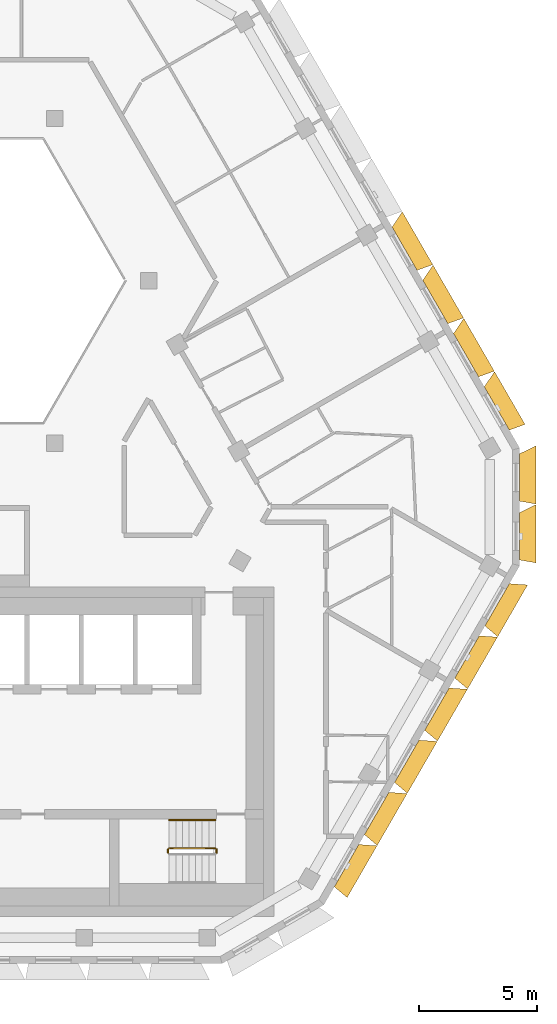
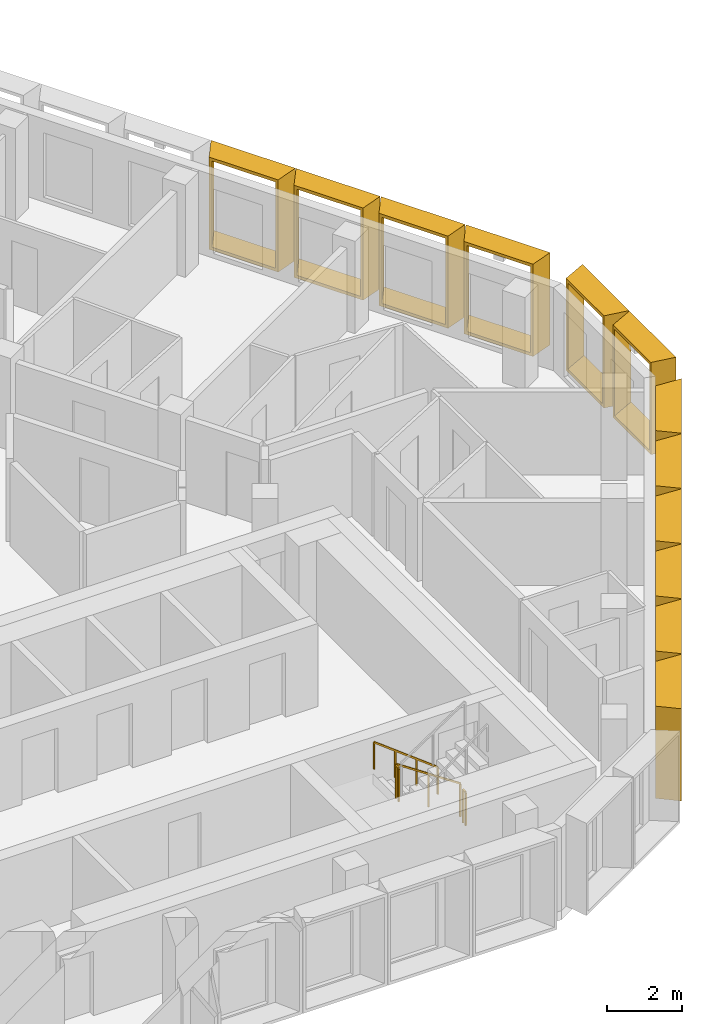
# One storey, part 15 of 16: 12 shading devices, 4 railings.
"""IFC4 building model written with IfcOpenShell, lengths in metres."""

from ifc_helpers import new_model, entity, si_unit, direction, frame, origin, origin_2d, place, context, subcontext, project, spatial, rectangle, extrude, source, transform, mapped, material, type_object, type_shapes, element, save


model = new_model("IFC4")

# Units and contexts
model_context = context("Model", 3, precision=1e-05, world=origin(), true_north=direction((0.0, 1.0)))
body_context = subcontext(model_context, "Body", "Model", "MODEL_VIEW")
ifc_project = project(units=[si_unit("LENGTHUNIT", "METRE"), si_unit("AREAUNIT", "SQUARE_METRE"), si_unit("VOLUMEUNIT", "CUBIC_METRE"), si_unit("PLANEANGLEUNIT", "RADIAN"), si_unit("MASSUNIT", "GRAM", prefix="KILO")], contexts=[model_context])

# Site, building, storey
site_placement = place(None, origin())
site = spatial("IfcSite", under=ifc_project, at=site_placement, CompositionType="ELEMENT")
building_placement = place(site_placement, origin())
building = spatial("IfcBuilding", under=site, at=building_placement, Name="Beryl Residences", CompositionType="ELEMENT")
storey_placement = place(building_placement, frame((0.0, 0.0, 238.800048828125)))
storey = spatial("IfcBuildingStorey", under=building, at=storey_placement, Name="L74", CompositionType="ELEMENT", Elevation=238.800048828125)

# Shading devices
ifc_material_1 = material(Name="Aluminium pale anodised", Category="aluminium")
shading_device_type_1 = type_object("IfcShadingDeviceType", Name="FR250-70C OUTER SKIN frame 700 mm deep, splay 10/26 deg, 2500 x 3000 mm cell", PredefinedType="USERDEFINED", material=ifc_material_1)
cartesian_point_1 = entity("IfcCartesianPoint", [-1.007568359375, 0.0])
cartesian_point_2 = entity("IfcCartesianPoint", [-0.92626953125, 0.10009765625])
cartesian_point_3 = entity("IfcCartesianPoint", [-1.130859375, 0.0])
cartesian_point_4 = entity("IfcCartesianPoint", [-1.0498046875, 0.10009765625])
shared_shape_1 = source(origin(), body_context, "Body", "SweptSolid", [
    entity("IfcExtrudedAreaSolidTapered", entity("IfcArbitraryProfileDefWithVoids", "AREA", None, entity("IfcPolyline", [cartesian_point_1, entity("IfcCartesianPoint", [1.007568359375, 0.0]), entity("IfcCartesianPoint", [1.007568359375, 3.0]), entity("IfcCartesianPoint", [-1.007568359375, 3.0]), cartesian_point_1]), [entity("IfcPolyline", [cartesian_point_2, entity("IfcCartesianPoint", [0.91845703125, 0.10009765625]), entity("IfcCartesianPoint", [0.91845703125, 2.89990234375]), entity("IfcCartesianPoint", [-0.92626953125, 2.89990234375]), cartesian_point_2])]), entity("IfcAxis2Placement3D", entity("IfcCartesianPoint", [0.0, 0.0, 0.0]), entity("IfcDirection", [0.0, 1.0, 0.0]), entity("IfcDirection", [-1.0, 0.0, 0.0])), entity("IfcDirection", [0.0, 0.0, 1.0]), 0.699951171875, entity("IfcArbitraryProfileDefWithVoids", "AREA", None, entity("IfcPolyline", [cartesian_point_3, entity("IfcCartesianPoint", [1.348876953125, 0.0]), entity("IfcCartesianPoint", [1.348876953125, 3.0]), entity("IfcCartesianPoint", [-1.130859375, 3.0]), cartesian_point_3]), [entity("IfcPolyline", [cartesian_point_4, entity("IfcCartesianPoint", [1.260009765625, 0.10009765625]), entity("IfcCartesianPoint", [1.260009765625, 2.89990234375]), entity("IfcCartesianPoint", [-1.0498046875, 2.89990234375]), cartesian_point_4])])),
])
type_shapes(shading_device_type_1, [shared_shape_1])
for number, where, z_axis, x_axis, name in (
    (1, (23.72900390625, -2.85009765625, 0.0), (0.0, 0.0, 1.0), (0.0, -1.0, 0.0), "FR250-70C frame L74 SE-NE 1"),
    (2, (23.72900390625, -0.35009765625, 0.0), (0.0, 0.0, 1.0), (0.0, -1.0, 0.0), "FR250-70C frame L74 SE-NE 2"),
):
    element("IfcShadingDevice", number, at=place(storey_placement, frame(where, z_axis=z_axis, x_axis=x_axis)), inside=storey, type_object=shading_device_type_1, Name=name, ObjectType="OUTER SKIN", PredefinedType="USERDEFINED", context=body_context, shape_type="MappedRepresentation", body=[
        mapped(shared_shape_1, transform((0.0, 0.0, 0.0))),
    ])
ifc_material_2 = material(Name="Aluminium pale anodised", Category="aluminium")
shading_device_type_2 = type_object("IfcShadingDeviceType", Name="FR256-70C OUTER SKIN frame 700 mm deep, splay 10/26 deg, 2560 x 3000 mm cell", PredefinedType="USERDEFINED", material=ifc_material_2)
cartesian_point_5 = entity("IfcCartesianPoint", [-1.03759765625, 0.0])
cartesian_point_6 = entity("IfcCartesianPoint", [-0.956298828125, 0.10009765625])
cartesian_point_7 = entity("IfcCartesianPoint", [-1.160888671875, 0.0])
cartesian_point_8 = entity("IfcCartesianPoint", [-1.07958984375, 0.10009765625])
shared_shape_2 = source(origin(), body_context, "Body", "SweptSolid", [
    entity("IfcExtrudedAreaSolidTapered", entity("IfcArbitraryProfileDefWithVoids", "AREA", None, entity("IfcPolyline", [cartesian_point_5, entity("IfcCartesianPoint", [1.03759765625, 0.0]), entity("IfcCartesianPoint", [1.03759765625, 3.0]), entity("IfcCartesianPoint", [-1.03759765625, 3.0]), cartesian_point_5]), [entity("IfcPolyline", [cartesian_point_6, entity("IfcCartesianPoint", [0.948486328125, 0.10009765625]), entity("IfcCartesianPoint", [0.948486328125, 2.89990234375]), entity("IfcCartesianPoint", [-0.956298828125, 2.89990234375]), cartesian_point_6])]), entity("IfcAxis2Placement3D", entity("IfcCartesianPoint", [0.0, 0.0, 0.0]), entity("IfcDirection", [0.0, 1.0, 0.0]), entity("IfcDirection", [-1.0, 0.0, 0.0])), entity("IfcDirection", [0.0, 0.0, 1.0]), 0.699951171875, entity("IfcArbitraryProfileDefWithVoids", "AREA", None, entity("IfcPolyline", [cartesian_point_7, entity("IfcCartesianPoint", [1.37890625, 0.0]), entity("IfcCartesianPoint", [1.37890625, 3.0]), entity("IfcCartesianPoint", [-1.160888671875, 3.0]), cartesian_point_7]), [entity("IfcPolyline", [cartesian_point_8, entity("IfcCartesianPoint", [1.289794921875, 0.10009765625]), entity("IfcCartesianPoint", [1.289794921875, 2.89990234375]), entity("IfcCartesianPoint", [-1.07958984375, 2.89990234375]), cartesian_point_8])])),
])
type_shapes(shading_device_type_2, [shared_shape_2])
for number, where, z_axis, x_axis, name in (
    (3, (16.373046875, -16.842041015625, 0.0), (0.0, 0.0, 1.0), (-0.5, -0.866025403784, 0.0), "FR256-70C frame L74 SE 1"),
    (4, (17.652099609375, -14.625, 0.0), (0.0, 0.0, 1.0), (-0.5, -0.866025403784, 0.0), "FR256-70C frame L74 SE 2"),
    (5, (18.931884765625, -12.408935546875, 0.0), (0.0, 0.0, 1.0), (-0.5, -0.866025403784, 0.0), "FR256-70C frame L74 SE 3"),
    (6, (20.2119140625, -10.19189453125, 0.0), (0.0, 0.0, 1.0), (-0.5, -0.866025403784, 0.0), "FR256-70C frame L74 SE 4"),
    (7, (21.490966796875, -7.97607421875, 0.0), (0.0, 0.0, 1.0), (-0.5, -0.866025403784, 0.0), "FR256-70C frame L74 SE 5"),
    (8, (22.77099609375, -5.759033203125, 0.0), (0.0, 0.0, 1.0), (-0.5, -0.866025403784, 0.0), "FR256-70C frame L74 SE 6"),
):
    element("IfcShadingDevice", number, at=place(storey_placement, frame(where, z_axis=z_axis, x_axis=x_axis)), inside=storey, type_object=shading_device_type_2, Name=name, ObjectType="OUTER SKIN", PredefinedType="USERDEFINED", context=body_context, shape_type="MappedRepresentation", body=[
        mapped(shared_shape_2, transform((0.0, 0.0, 0.0))),
    ])
ifc_material_3 = material(Name="Aluminium pale anodised", Category="aluminium")
shading_device_type_3 = type_object("IfcShadingDeviceType", Name="FR261-70C OUTER SKIN frame 700 mm deep, splay 10/26 deg, 2610 x 3000 mm cell", PredefinedType="USERDEFINED", material=ifc_material_3)
cartesian_point_9 = entity("IfcCartesianPoint", [-1.0625, 0.0])
cartesian_point_10 = entity("IfcCartesianPoint", [-0.981201171875, 0.10009765625])
cartesian_point_11 = entity("IfcCartesianPoint", [-1.18603515625, 0.0])
cartesian_point_12 = entity("IfcCartesianPoint", [-1.104736328125, 0.10009765625])
shared_shape_3 = source(origin(), body_context, "Body", "SweptSolid", [
    entity("IfcExtrudedAreaSolidTapered", entity("IfcArbitraryProfileDefWithVoids", "AREA", None, entity("IfcPolyline", [cartesian_point_9, entity("IfcCartesianPoint", [1.0625, 0.0]), entity("IfcCartesianPoint", [1.0625, 3.0]), entity("IfcCartesianPoint", [-1.0625, 3.0]), cartesian_point_9]), [entity("IfcPolyline", [cartesian_point_10, entity("IfcCartesianPoint", [0.973388671875, 0.10009765625]), entity("IfcCartesianPoint", [0.973388671875, 2.89990234375]), entity("IfcCartesianPoint", [-0.981201171875, 2.89990234375]), cartesian_point_10])]), entity("IfcAxis2Placement3D", entity("IfcCartesianPoint", [0.0, 0.0, 0.0]), entity("IfcDirection", [0.0, 1.0, 0.0]), entity("IfcDirection", [-1.0, 0.0, 0.0])), entity("IfcDirection", [0.0, 0.0, 1.0]), 0.699951171875, entity("IfcArbitraryProfileDefWithVoids", "AREA", None, entity("IfcPolyline", [cartesian_point_11, entity("IfcCartesianPoint", [1.40380859375, 0.0]), entity("IfcCartesianPoint", [1.40380859375, 3.0]), entity("IfcCartesianPoint", [-1.18603515625, 3.0]), cartesian_point_11]), [entity("IfcPolyline", [cartesian_point_12, entity("IfcCartesianPoint", [1.31494140625, 0.10009765625]), entity("IfcCartesianPoint", [1.31494140625, 2.89990234375]), entity("IfcCartesianPoint", [-1.104736328125, 2.89990234375]), cartesian_point_12])])),
])
type_shapes(shading_device_type_3, [shared_shape_3])
for number, where, z_axis, x_axis, name in (
    (9, (22.758056640625, 2.5810546875, 0.0), (0.0, 0.0, 1.0), (0.5, -0.866025403784, 0.0), "FR261-70C frame L74 NE 1"),
    (10, (21.450927734375, 4.843994140625, 0.0), (0.0, 0.0, 1.0), (0.5, -0.866025403784, 0.0), "FR261-70C frame L74 NE 2"),
    (11, (20.14501953125, 7.10595703125, 0.0), (0.0, 0.0, 1.0), (0.5, -0.866025403784, 0.0), "FR261-70C frame L74 NE 3"),
    (12, (18.839111328125, 9.368896484375, 0.0), (0.0, 0.0, 1.0), (0.5, -0.866025403784, 0.0), "FR261-70C frame L74 NE 4"),
):
    element("IfcShadingDevice", number, at=place(storey_placement, frame(where, z_axis=z_axis, x_axis=x_axis)), inside=storey, type_object=shading_device_type_3, Name=name, ObjectType="OUTER SKIN", PredefinedType="USERDEFINED", context=body_context, shape_type="MappedRepresentation", body=[
        mapped(shared_shape_3, transform((0.0, 0.0, 0.0))),
    ])

# Railings
ifc_material_4 = material(Name="Stainless steel balustrade with glass infill", Category="steel")
railing_type_1 = type_object("IfcRailingType", Name="SG1 stair guard 1100 mm", PredefinedType="GUARDRAIL", material=ifc_material_4)
railing_1_placement = place(storey_placement, frame((10.800048828125, -16.10009765625, 0.1875)))
element("IfcRailing", 13, at=railing_1_placement, inside=storey, type_object=railing_type_1, Name="L74 ST-3 stair guard 1", PredefinedType="GUARDRAIL", context=body_context, shape_type="SweptSolid", body=[
    extrude(rectangle(XDim=0.048095703125, YDim=0.048095703125, at=origin_2d()), frame((0.0, 0.0, 1.076171875), z_axis=(-0.830902050051, 0.0, 0.556418712142), x_axis=(0.0, -1.0, 0.0)), (0.0, 0.0, 1.0), 2.35888671875),
    extrude(rectangle(XDim=0.0419921875, YDim=0.0419921875, at=origin_2d()), origin(), (0.0, 0.0, 1.0), 1.052001953125),
    extrude(rectangle(XDim=0.0419921875, YDim=0.0419921875, at=origin_2d()), frame((-0.97998046875, 0.0, 0.65625)), (0.0, 0.0, 1.0), 1.052001953125),
    extrude(rectangle(XDim=0.0419921875, YDim=0.0419921875, at=origin_2d()), frame((-1.9599609375, 0.0, 1.3125)), (0.0, 0.0, 1.0), 1.052001953125),
])
for number, where, name in (
    (14, (8.7900390625, -16.14990234375, 1.5), "L74 ST-3 stair guard 2"),
    (15, (10.85009765625, -16.14990234375, 0.0), "L74 ST-3 stair guard 4"),
):
    element("IfcRailing", number, at=place(storey_placement, frame(where)), inside=storey, type_object=railing_type_1, Name=name, PredefinedType="GUARDRAIL", context=body_context, shape_type="SweptSolid", body=[
        extrude(rectangle(XDim=0.048095703125, YDim=0.048095703125, at=origin_2d()), frame((0.0, 0.0, 1.076171875), z_axis=(0.0, -1.0, 0.0), x_axis=(1.0, 0.0, 0.0)), (0.0, 0.0, 1.0), 0.150146484375),
        extrude(rectangle(XDim=0.0419921875, YDim=0.0419921875, at=origin_2d()), origin(), (0.0, 0.0, 1.0), 1.052001953125),
        extrude(rectangle(XDim=0.0419921875, YDim=0.0419921875, at=origin_2d()), frame((0.0, -0.150146484375, 0.0)), (0.0, 0.0, 1.0), 1.052001953125),
    ])
ifc_material_5 = material(Name="Stainless steel handrail", Category="steel")
railing_type_2 = type_object("IfcRailingType", Name="SRL1 stair handrail 900 mm", PredefinedType="HANDRAIL", material=ifc_material_5)
railing_2_placement = place(storey_placement, frame((10.800048828125, -14.89990234375, 0.1875)))
element("IfcRailing", 16, at=railing_2_placement, inside=storey, type_object=railing_type_2, Name="L74 ST-3 stair handrail 1", PredefinedType="HANDRAIL", context=body_context, shape_type="SweptSolid", body=[
    extrude(rectangle(XDim=0.048095703125, YDim=0.048095703125, at=origin_2d()), frame((0.0, 0.0, 0.8759765625), z_axis=(-0.794121922505, 0.0, 0.607758481798), x_axis=(0.0, -1.0, 0.0)), (0.0, 0.0, 1.0), 2.468017578125),
    extrude(rectangle(XDim=0.0419921875, YDim=0.0419921875, at=origin_2d()), origin(), (0.0, 0.0, 1.0), 0.851806640625),
    extrude(rectangle(XDim=0.0419921875, YDim=0.0419921875, at=origin_2d()), frame((-0.6533203125, 0.0, 0.5)), (0.0, 0.0, 1.0), 0.851806640625),
    extrude(rectangle(XDim=0.0419921875, YDim=0.0419921875, at=origin_2d()), frame((-1.306640625, 0.0, 1.0)), (0.0, 0.0, 1.0), 0.851806640625),
    extrude(rectangle(XDim=0.0419921875, YDim=0.0419921875, at=origin_2d()), frame((-1.9599609375, 0.0, 1.5)), (0.0, 0.0, 1.0), 0.851806640625),
])

save(model, "model.ifc")
